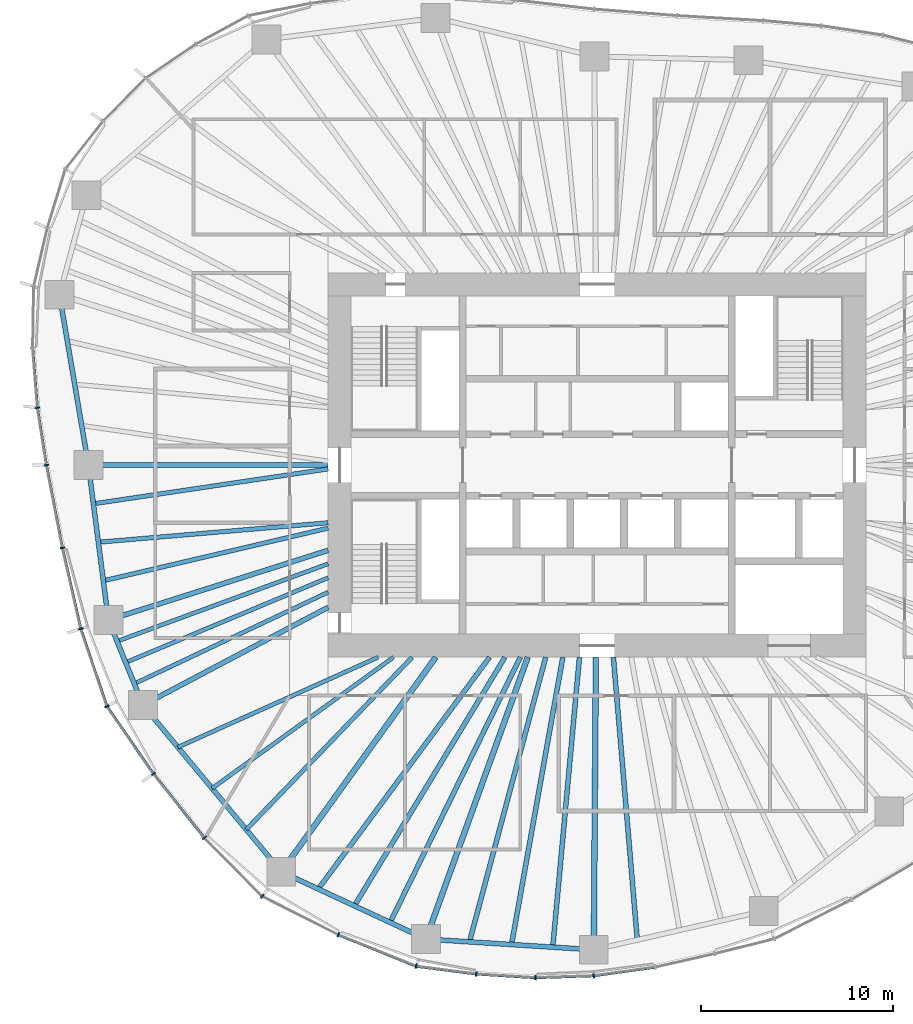
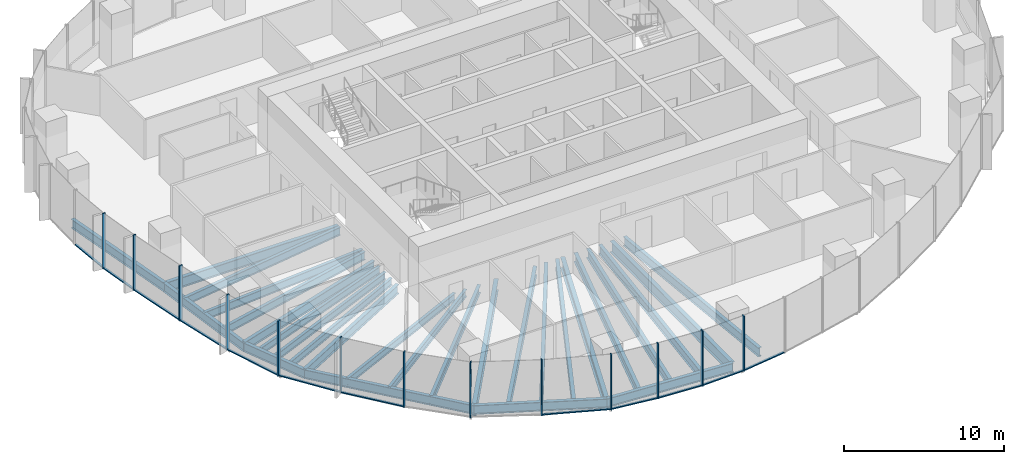
# One storey, part 2 of 18: 28 beams, 25 members, 7 elements without a shape of their own.
"""IFC4 building model written with IfcOpenShell, lengths in metres."""

from ifc_helpers import new_model, si_unit, direction, frame, origin, origin_2d, place, context, subcontext, project, spatial, rectangle, i_section, extrude, material, material_profile, profile_set, type_object, element, aggregate, save


model = new_model("IFC4")

# Units and contexts
model_context = context("Model", 3, precision=1e-05, world=origin(), true_north=direction((0.0, 1.0)))
body_context = subcontext(model_context, "Body", "Model", "MODEL_VIEW")
ifc_project = project(units=[si_unit("LENGTHUNIT", "METRE"), si_unit("AREAUNIT", "SQUARE_METRE"), si_unit("VOLUMEUNIT", "CUBIC_METRE"), si_unit("PLANEANGLEUNIT", "RADIAN"), si_unit("MASSUNIT", "GRAM", prefix="KILO")], contexts=[model_context])

# Site, building, storey
site_placement = place(None, origin())
site = spatial("IfcSite", under=ifc_project, at=site_placement, CompositionType="ELEMENT")
building_placement = place(site_placement, origin())
building = spatial("IfcBuilding", under=site, at=building_placement, Name="Ghaith Harvest Tower", CompositionType="ELEMENT")
storey_placement = place(building_placement, frame((0.0, 0.0, 130.199951171875)))
storey = spatial("IfcBuildingStorey", under=building, at=storey_placement, Name="L27", CompositionType="ELEMENT", Elevation=130.199951171875)

# Curtain wall, member
ifc_material_1 = material(Name="Black anodised aluminium and fritted glass", Category="aluminium")
curtain_wall_type = type_object("IfcCurtainWallType", Name="CW-L CURTAIN WALL", PredefinedType="NOTDEFINED", material=ifc_material_1)
curtain_wall_1_placement = place(storey_placement, origin())
curtain_wall_1 = element("IfcCurtainWall", 1, at=curtain_wall_1_placement, inside=storey, type_object=curtain_wall_type, Name="Curtain wall CW-L bay 10 L27", PredefinedType="NOTDEFINED")
ifc_material_2 = material(Name="Aluminium, black anodised", Category="aluminium")
ifc_material_profile_1 = material_profile(ifc_material_2, rectangle(XDim=0.080078125, YDim=0.239990234375, at=origin_2d()), Name="CW-L MULLION 80x240")
ifc_profile_set_1 = profile_set([ifc_material_profile_1], Name="Aluminium, black anodised")
member_type_1 = type_object("IfcMemberType", Name="CW-L MULLION 80x240", PredefinedType="MULLION", material=ifc_profile_set_1)
member_1_placement = place(storey_placement, frame((-29.131103515625, 2.990478515625, 0.0), z_axis=(0.0, 0.0, 1.0), x_axis=(0.116763791346, -0.993159713757, 0.0)))
member_1 = element("IfcMember", 2, at=member_1_placement, type_object=member_type_1, Name="CW-L mullion 3 bay 10 L27", PredefinedType="MULLION", context=body_context, shape_type="SweptSolid", body=[
    extrude(rectangle(XDim=0.080078125, YDim=0.239990234375, at=origin_2d()), origin(), (0.0, 0.0, 1.0), 4.199951171875),
])

# Curtain wall, members
curtain_wall_2_placement = place(storey_placement, origin())
curtain_wall_2 = element("IfcCurtainWall", 3, at=curtain_wall_2_placement, inside=storey, type_object=curtain_wall_type, Name="Curtain wall CW-L bay 11 L27", PredefinedType="NOTDEFINED")
member_2_placement = place(storey_placement, frame((-28.6611328125, 0.0, 0.0), z_axis=(0.0, 0.0, 1.0), x_axis=(0.175827209372, -0.984421044292, 0.0)))
member_2 = element("IfcMember", 4, at=member_2_placement, type_object=member_type_1, Name="CW-L mullion 1 bay 11 L27", PredefinedType="MULLION", context=body_context, shape_type="SweptSolid", body=[
    extrude(rectangle(XDim=0.080078125, YDim=0.239990234375, at=origin_2d()), origin(), (0.0, 0.0, 1.0), 4.199951171875),
])
member_3_placement = place(storey_placement, frame((-27.828125, -4.30419921875, 0.0), z_axis=(0.0, 0.0, 1.0), x_axis=(0.205176300018, -0.978725030798, 0.0)))
member_3 = element("IfcMember", 5, at=member_3_placement, type_object=member_type_1, Name="CW-L mullion 2 bay 11 L27", PredefinedType="MULLION", context=body_context, shape_type="SweptSolid", body=[
    extrude(rectangle(XDim=0.080078125, YDim=0.239990234375, at=origin_2d()), origin(), (0.0, 0.0, 1.0), 4.199951171875),
])

curtain_wall_3_placement = place(storey_placement, origin())
curtain_wall_3 = element("IfcCurtainWall", 6, at=curtain_wall_3_placement, inside=storey, type_object=curtain_wall_type, Name="Curtain wall CW-L bay 12 L27", PredefinedType="NOTDEFINED")
member_4_placement = place(storey_placement, frame((-26.875732421875, -8.517333984375, 0.0), z_axis=(0.0, 0.0, 1.0), x_axis=(0.270018818005, -0.962855045125, 0.0)))
member_4 = element("IfcMember", 7, at=member_4_placement, type_object=member_type_1, Name="CW-L mullion 1 bay 12 L27", PredefinedType="MULLION", context=body_context, shape_type="SweptSolid", body=[
    extrude(rectangle(XDim=0.080078125, YDim=0.239990234375, at=origin_2d()), origin(), (0.0, 0.0, 1.0), 4.199951171875),
])
member_5_placement = place(storey_placement, frame((-25.513427734375, -12.55810546875, 0.0), z_axis=(0.0, 0.0, 1.0), x_axis=(0.448267068681, -0.893899678452, 0.0)))
member_5 = element("IfcMember", 8, at=member_5_placement, type_object=member_type_1, Name="CW-L mullion 2 bay 12 L27", PredefinedType="MULLION", context=body_context, shape_type="SweptSolid", body=[
    extrude(rectangle(XDim=0.080078125, YDim=0.239990234375, at=origin_2d()), origin(), (0.0, 0.0, 1.0), 4.199951171875),
])

curtain_wall_4_placement = place(storey_placement, origin())
curtain_wall_4 = element("IfcCurtainWall", 9, at=curtain_wall_4_placement, inside=storey, type_object=curtain_wall_type, Name="Curtain wall CW-L bay 13 L27", PredefinedType="NOTDEFINED")
member_6_placement = place(storey_placement, frame((-23.090087890625, -16.066162109375, 0.0), z_axis=(0.0, 0.0, 1.0), x_axis=(0.595740202191, -0.803177198066, 0.0)))
member_6 = element("IfcMember", 10, at=member_6_placement, type_object=member_type_1, Name="CW-L mullion 1 bay 13 L27", PredefinedType="MULLION", context=body_context, shape_type="SweptSolid", body=[
    extrude(rectangle(XDim=0.080078125, YDim=0.239990234375, at=origin_2d()), origin(), (0.0, 0.0, 1.0), 4.199951171875),
])
member_7_placement = place(storey_placement, frame((-20.441162109375, -19.396728515625, 0.0), z_axis=(0.0, 0.0, 1.0), x_axis=(0.663764675537, -0.747941478666, 0.0)))
member_7 = element("IfcMember", 11, at=member_7_placement, type_object=member_type_1, Name="CW-L mullion 2 bay 13 L27", PredefinedType="MULLION", context=body_context, shape_type="SweptSolid", body=[
    extrude(rectangle(XDim=0.080078125, YDim=0.239990234375, at=origin_2d()), origin(), (0.0, 0.0, 1.0), 4.199951171875),
])

curtain_wall_5_placement = place(storey_placement, origin())
curtain_wall_5 = element("IfcCurtainWall", 12, at=curtain_wall_5_placement, inside=storey, type_object=curtain_wall_type, Name="Curtain wall CW-L bay 14 L27", PredefinedType="NOTDEFINED")
member_8_placement = place(storey_placement, frame((-17.430419921875, -22.443603515625, 0.0), z_axis=(0.0, 0.0, 1.0), x_axis=(0.810339399222, -0.585960799089, 0.0)))
member_8 = element("IfcMember", 13, at=member_8_placement, type_object=member_type_1, Name="CW-L mullion 1 bay 14 L27", PredefinedType="MULLION", context=body_context, shape_type="SweptSolid", body=[
    extrude(rectangle(XDim=0.080078125, YDim=0.239990234375, at=origin_2d()), origin(), (0.0, 0.0, 1.0), 4.199951171875),
])
member_9_placement = place(storey_placement, frame((-13.463134765625, -24.4423828125, 0.0), z_axis=(0.0, 0.0, 1.0), x_axis=(0.910648017946, -0.413182995066, 0.0)))
member_9 = element("IfcMember", 14, at=member_9_placement, type_object=member_type_1, Name="CW-L mullion 2 bay 14 L27", PredefinedType="MULLION", context=body_context, shape_type="SweptSolid", body=[
    extrude(rectangle(XDim=0.080078125, YDim=0.239990234375, at=origin_2d()), origin(), (0.0, 0.0, 1.0), 4.199951171875),
])

curtain_wall_6_placement = place(storey_placement, origin())
curtain_wall_6 = element("IfcCurtainWall", 15, at=curtain_wall_6_placement, inside=storey, type_object=curtain_wall_type, Name="Curtain wall CW-L bay 15 L27", PredefinedType="NOTDEFINED")
member_10_placement = place(storey_placement, frame((-9.4189453125, -26.07861328125, 0.0), z_axis=(0.0, 0.0, 1.0), x_axis=(0.961788606004, -0.273793128768, 0.0)))
member_10 = element("IfcMember", 16, at=member_10_placement, type_object=member_type_1, Name="CW-L mullion 1 bay 15 L27", PredefinedType="MULLION", context=body_context, shape_type="SweptSolid", body=[
    extrude(rectangle(XDim=0.080078125, YDim=0.239990234375, at=origin_2d()), origin(), (0.0, 0.0, 1.0), 4.199951171875),
])
member_11_placement = place(storey_placement, frame((-6.29443359375, -26.483154296875, 0.0), z_axis=(0.0, 0.0, 1.0), x_axis=(0.995389243171, -0.095917957546, 0.0)))
member_11 = element("IfcMember", 17, at=member_11_placement, type_object=member_type_1, Name="CW-L mullion 2 bay 15 L27", PredefinedType="MULLION", context=body_context, shape_type="SweptSolid", body=[
    extrude(rectangle(XDim=0.080078125, YDim=0.239990234375, at=origin_2d()), origin(), (0.0, 0.0, 1.0), 4.199951171875),
])
member_12_placement = place(storey_placement, frame((-3.21923828125, -26.676025390625, 0.0), z_axis=(0.0, 0.0, 1.0), x_axis=(0.999890531495, -0.014796115241, 0.0)))
member_12 = element("IfcMember", 18, at=member_12_placement, type_object=member_type_1, Name="CW-L mullion 3 bay 15 L27", PredefinedType="MULLION", context=body_context, shape_type="SweptSolid", body=[
    extrude(rectangle(XDim=0.080078125, YDim=0.239990234375, at=origin_2d()), origin(), (0.0, 0.0, 1.0), 4.199951171875),
])

# Curtain wall, member
curtain_wall_7_placement = place(storey_placement, origin())
curtain_wall_7 = element("IfcCurtainWall", 19, at=curtain_wall_7_placement, inside=storey, type_object=curtain_wall_type, Name="Curtain wall CW-L bay 16 L27", PredefinedType="NOTDEFINED")
member_13_placement = place(storey_placement, frame((-0.181884765625, -26.57373046875, 0.0), z_axis=(0.0, 0.0, 1.0), x_axis=(0.996169227662, 0.087446382772, 0.0)))
member_13 = element("IfcMember", 20, at=member_13_placement, type_object=member_type_1, Name="CW-L mullion 1 bay 16 L27", PredefinedType="MULLION", context=body_context, shape_type="SweptSolid", body=[
    extrude(rectangle(XDim=0.080078125, YDim=0.239990234375, at=origin_2d()), origin(), (0.0, 0.0, 1.0), 4.199951171875),
])

# Member
ifc_material_3 = material(Name="Aluminium, black anodised", Category="aluminium")
ifc_material_profile_2 = material_profile(ifc_material_3, rectangle(XDim=0.14990234375, YDim=0.080078125, at=origin_2d()), Name="CW-L TRANSOM 150x80")
ifc_profile_set_2 = profile_set([ifc_material_profile_2], Name="Aluminium, black anodised")
member_type_2 = type_object("IfcMemberType", Name="CW-L TRANSOM 150x80", PredefinedType="USERDEFINED", material=ifc_profile_set_2)
member_14_placement = place(storey_placement, frame((-29.374755859375, 6.05615234375, 0.0400390625), z_axis=(0.079230491279, -0.996856323274, 0.0), x_axis=(0.996856323274, 0.079230491279, 0.0)))
member_14 = element("IfcMember", 21, at=member_14_placement, type_object=member_type_2, Name="CW-L transom 2 bay 10 L27", ObjectType="TRANSOM", PredefinedType="USERDEFINED", context=body_context, shape_type="SweptSolid", body=[
    extrude(rectangle(XDim=0.14990234375, YDim=0.080078125, at=origin_2d()), origin(), (0.0, 0.0, 1.0), 3.03515625),
])

member_15_placement = place(storey_placement, frame((-29.124755859375, 2.951171875, 0.0400390625), z_axis=(0.155150065502, -0.987890913601, 0.0), x_axis=(0.987890913601, 0.155150065502, 0.0)))
member_15 = element("IfcMember", 22, at=member_15_placement, type_object=member_type_2, Name="CW-L transom 3 bay 10 L27", ObjectType="TRANSOM", PredefinedType="USERDEFINED", context=body_context, shape_type="SweptSolid", body=[
    extrude(rectangle(XDim=0.14990234375, YDim=0.080078125, at=origin_2d()), origin(), (0.0, 0.0, 1.0), 2.947265625),
])

aggregate(curtain_wall_1, [member_14, member_1, member_15])

member_16_placement = place(storey_placement, frame((-28.653564453125, -0.039306640625, 0.0400390625), z_axis=(0.190025434036, -0.981779167848, 0.0), x_axis=(0.981779167848, 0.190025434036, 0.0)))
member_16 = element("IfcMember", 23, at=member_16_placement, type_object=member_type_2, Name="CW-L transom 1 bay 11 L27", ObjectType="TRANSOM", PredefinedType="USERDEFINED", context=body_context, shape_type="SweptSolid", body=[
    extrude(rectangle(XDim=0.14990234375, YDim=0.080078125, at=origin_2d()), origin(), (0.0, 0.0, 1.0), 4.303955078125),
])

member_17_placement = place(storey_placement, frame((-27.8193359375, -4.34326171875, 0.0400390625), z_axis=(0.220508326041, -0.975385092231, 0.0), x_axis=(0.975385092231, 0.220508326041, 0.0)))
member_17 = element("IfcMember", 24, at=member_17_placement, type_object=member_type_2, Name="CW-L transom 2 bay 11 L27", ObjectType="TRANSOM", PredefinedType="USERDEFINED", context=body_context, shape_type="SweptSolid", body=[
    extrude(rectangle(XDim=0.14990234375, YDim=0.080078125, at=origin_2d()), origin(), (0.0, 0.0, 1.0), 4.2392578125),
])

aggregate(curtain_wall_2, [member_2, member_16, member_3, member_17])

member_18_placement = place(storey_placement, frame((-26.863037109375, -8.55517578125, 0.0400390625), z_axis=(0.319499057133, -0.947586593664, 0.0), x_axis=(0.947586593664, 0.319499057133, 0.0)))
member_18 = element("IfcMember", 25, at=member_18_placement, type_object=member_type_2, Name="CW-L transom 1 bay 12 L27", ObjectType="TRANSOM", PredefinedType="USERDEFINED", context=body_context, shape_type="SweptSolid", body=[
    extrude(rectangle(XDim=0.14990234375, YDim=0.080078125, at=origin_2d()), origin(), (0.0, 0.0, 1.0), 4.184326171875),
])

member_19_placement = place(storey_placement, frame((-25.49072265625, -12.591064453125, 0.0400390625), z_axis=(0.568360052499, -0.822779952796, 0.0), x_axis=(0.822779952796, 0.568360052499, 0.0)))
member_19 = element("IfcMember", 26, at=member_19_placement, type_object=member_type_2, Name="CW-L transom 2 bay 12 L27", ObjectType="TRANSOM", PredefinedType="USERDEFINED", context=body_context, shape_type="SweptSolid", body=[
    extrude(rectangle(XDim=0.14990234375, YDim=0.080078125, at=origin_2d()), origin(), (0.0, 0.0, 1.0), 4.183837890625),
])

aggregate(curtain_wall_3, [member_4, member_18, member_5, member_19])

member_20_placement = place(storey_placement, frame((-23.065185546875, -16.09765625, 0.0400390625), z_axis=(0.622510542814, -0.782611413209, 0.0), x_axis=(0.782611413209, 0.622510542814, 0.0)))
member_20 = element("IfcMember", 27, at=member_20_placement, type_object=member_type_2, Name="CW-L transom 1 bay 13 L27", ObjectType="TRANSOM", PredefinedType="USERDEFINED", context=body_context, shape_type="SweptSolid", body=[
    extrude(rectangle(XDim=0.14990234375, YDim=0.080078125, at=origin_2d()), origin(), (0.0, 0.0, 1.0), 4.17529296875),
])

aggregate(curtain_wall_4, [member_6, member_20, member_7])

member_21_placement = place(storey_placement, frame((-13.426025390625, -24.45751953125, 0.0400390625), z_axis=(0.92700297754, -0.375053968959, 0.0), x_axis=(0.375053968959, 0.92700297754, 0.0)))
member_21 = element("IfcMember", 28, at=member_21_placement, type_object=member_type_2, Name="CW-L transom 2 bay 14 L27", ObjectType="TRANSOM", PredefinedType="USERDEFINED", context=body_context, shape_type="SweptSolid", body=[
    extrude(rectangle(XDim=0.14990234375, YDim=0.080078125, at=origin_2d()), origin(), (0.0, 0.0, 1.0), 4.282470703125),
])

aggregate(curtain_wall_5, [member_8, member_9, member_21])

member_22_placement = place(storey_placement, frame((-9.37939453125, -26.083740234375, 0.0400390625), z_axis=(0.991722765635, -0.128397648429, 0.0), x_axis=(0.128397648429, 0.991722765635, 0.0)))
member_22 = element("IfcMember", 29, at=member_22_placement, type_object=member_type_2, Name="CW-L transom 1 bay 15 L27", ObjectType="TRANSOM", PredefinedType="USERDEFINED", context=body_context, shape_type="SweptSolid", body=[
    extrude(rectangle(XDim=0.14990234375, YDim=0.080078125, at=origin_2d()), origin(), (0.0, 0.0, 1.0), 3.07080078125),
])

member_23_placement = place(storey_placement, frame((-6.25439453125, -26.485595703125, 0.0400390625), z_axis=(0.998036402434, -0.062636566132, 0.0), x_axis=(0.062636566132, 0.998036402434, 0.0)))
member_23 = element("IfcMember", 30, at=member_23_placement, type_object=member_type_2, Name="CW-L transom 2 bay 15 L27", ObjectType="TRANSOM", PredefinedType="USERDEFINED", context=body_context, shape_type="SweptSolid", body=[
    extrude(rectangle(XDim=0.14990234375, YDim=0.080078125, at=origin_2d()), origin(), (0.0, 0.0, 1.0), 3.001220703125),
])

member_24_placement = place(storey_placement, frame((-3.17919921875, -26.6748046875, 0.0400390625), z_axis=(0.999430436664, 0.033746144522, 0.0), x_axis=(-0.033746144522, 0.999430436664, 0.0)))
member_24 = element("IfcMember", 31, at=member_24_placement, type_object=member_type_2, Name="CW-L transom 3 bay 15 L27", ObjectType="TRANSOM", PredefinedType="USERDEFINED", context=body_context, shape_type="SweptSolid", body=[
    extrude(rectangle(XDim=0.14990234375, YDim=0.080078125, at=origin_2d()), origin(), (0.0, 0.0, 1.0), 2.958984375),
])

aggregate(curtain_wall_6, [member_10, member_22, member_11, member_23, member_12, member_24])

member_25_placement = place(storey_placement, frame((-0.142333984375, -26.568115234375, 0.0400390625), z_axis=(0.990446640965, 0.137896524254, 0.0), x_axis=(-0.137896524254, 0.990446640965, 0.0)))
member_25 = element("IfcMember", 32, at=member_25_placement, type_object=member_type_2, Name="CW-L transom 1 bay 16 L27", ObjectType="TRANSOM", PredefinedType="USERDEFINED", context=body_context, shape_type="SweptSolid", body=[
    extrude(rectangle(XDim=0.14990234375, YDim=0.080078125, at=origin_2d()), origin(), (0.0, 0.0, 1.0), 3.142578125),
])

aggregate(curtain_wall_7, [member_13, member_25])

# Beams
ifc_material_4 = material(Name="Steel ASTM A992 Grade 50", Category="steel")
ifc_material_profile_3 = material_profile(ifc_material_4, i_section(OverallWidth=0.25390625, OverallDepth=0.68408203125, WebThickness=0.012451171875, FlangeThickness=0.018798828125, at=origin_2d()), Name="W690X140")
ifc_profile_set_3 = profile_set([ifc_material_profile_3], Name="Steel ASTM A992 Grade 50")
beam_type_1 = type_object("IfcBeamType", Name="E690-140 W690X140", PredefinedType="SPANDREL", material=ifc_profile_set_3)
beam_1_placement = place(storey_placement, frame((-27.98291015625, 8.867919921875, -0.511962890625), z_axis=(0.167624246844, -0.985850958244, 0.0), x_axis=(0.985850958244, 0.167624246844, 0.0)))
element("IfcBeam", 33, at=beam_1_placement, inside=storey, type_object=beam_type_1, Name="Edge beam E10 L27", PredefinedType="SPANDREL", context=body_context, shape_type="SweptSolid", body=[
    extrude(i_section(OverallWidth=0.25390625, OverallDepth=0.68408203125, WebThickness=0.012451171875, FlangeThickness=0.018798828125, at=origin_2d()), origin(), (0.0, 0.0, 1.0), 8.9951171875),
])
beam_2_placement = place(storey_placement, frame((-26.47509765625, 0.0, -0.511962890625), z_axis=(0.127841715048, -0.991794583517, 0.0), x_axis=(0.991794583517, 0.127841715048, 0.0)))
element("IfcBeam", 34, at=beam_2_placement, inside=storey, type_object=beam_type_1, Name="Edge beam E11 L27", PredefinedType="SPANDREL", context=body_context, shape_type="SweptSolid", body=[
    extrude(i_section(OverallWidth=0.25390625, OverallDepth=0.68408203125, WebThickness=0.012451171875, FlangeThickness=0.018798828125, at=origin_2d()), origin(), (0.0, 0.0, 1.0), 8.127685546875),
])
beam_3_placement = place(storey_placement, frame((-25.43603515625, -8.06103515625, -0.511962890625), z_axis=(0.376479712052, -0.9264248628, 0.0), x_axis=(0.9264248628, 0.376479712052, 0.0)))
element("IfcBeam", 35, at=beam_3_placement, inside=storey, type_object=beam_type_1, Name="Edge beam E12 L27", PredefinedType="SPANDREL", context=body_context, shape_type="SweptSolid", body=[
    extrude(i_section(OverallWidth=0.25390625, OverallDepth=0.68408203125, WebThickness=0.012451171875, FlangeThickness=0.018798828125, at=origin_2d()), origin(), (0.0, 0.0, 1.0), 4.783935546875),
])
beam_4_placement = place(storey_placement, frame((-23.635009765625, -12.492919921875, -0.511962890625), z_axis=(0.638719320052, -0.769439815835, 0.0), x_axis=(0.769439815835, 0.638719320052, 0.0)))
element("IfcBeam", 36, at=beam_4_placement, inside=storey, type_object=beam_type_1, Name="Edge beam E13 L27", PredefinedType="SPANDREL", context=body_context, shape_type="SweptSolid", body=[
    extrude(i_section(OverallWidth=0.25390625, OverallDepth=0.68408203125, WebThickness=0.012451171875, FlangeThickness=0.018798828125, at=origin_2d()), origin(), (0.0, 0.0, 1.0), 11.26953125),
])
beam_5_placement = place(storey_placement, frame((-16.43701171875, -21.1640625, -0.511962890625), z_axis=(0.906607079462, -0.421975832802, 0.0), x_axis=(0.421975832802, 0.906607079462, 0.0)))
element("IfcBeam", 37, at=beam_5_placement, inside=storey, type_object=beam_type_1, Name="Edge beam E14 L27", PredefinedType="SPANDREL", context=body_context, shape_type="SweptSolid", body=[
    extrude(i_section(OverallWidth=0.25390625, OverallDepth=0.68408203125, WebThickness=0.012451171875, FlangeThickness=0.018798828125, at=origin_2d()), origin(), (0.0, 0.0, 1.0), 8.303466796875),
])
beam_6_placement = place(storey_placement, frame((-8.908935546875, -24.66796875, -0.511962890625), z_axis=(0.99797963184, -0.063534671101, 0.0), x_axis=(0.063534671101, 0.99797963184, 0.0)))
element("IfcBeam", 38, at=beam_6_placement, inside=storey, type_object=beam_type_1, Name="Edge beam E15 L27", PredefinedType="SPANDREL", context=body_context, shape_type="SweptSolid", body=[
    extrude(i_section(OverallWidth=0.25390625, OverallDepth=0.68408203125, WebThickness=0.012451171875, FlangeThickness=0.018798828125, at=origin_2d()), origin(), (0.0, 0.0, 1.0), 8.75341796875),
])
ifc_material_5 = material(Name="Steel ASTM A992 Grade 50", Category="steel")
ifc_material_profile_4 = material_profile(ifc_material_5, i_section(OverallWidth=0.256103515625, OverallDepth=0.693115234375, WebThickness=0.014404296875, FlangeThickness=0.023681640625, at=origin_2d()), Name="W690X170")
ifc_profile_set_4 = profile_set([ifc_material_profile_4], Name="Steel ASTM A992 Grade 50")
beam_type_2 = type_object("IfcBeamType", Name="G690-170 W690X170", PredefinedType="BEAM", material=ifc_profile_set_4)
beam_7_placement = place(storey_placement, frame((-14.0, -4.43701171875, -0.516357421875), z_axis=(-0.953279533519, -0.302089607522, 0.0), x_axis=(0.302089607522, -0.953279533519, 0.0)))
element("IfcBeam", 39, at=beam_7_placement, inside=storey, type_object=beam_type_2, Name="Radial girder G12 L27", PredefinedType="BEAM", context=body_context, shape_type="SweptSolid", body=[
    extrude(i_section(OverallWidth=0.256103515625, OverallDepth=0.693115234375, WebThickness=0.014404296875, FlangeThickness=0.023681640625, at=origin_2d()), origin(), (0.0, 0.0, 1.0), 11.99658203125),
])
beam_8_placement = place(storey_placement, frame((-14.0, -7.39990234375, -0.516357421875), z_axis=(-0.884086346066, -0.467323584576, 0.0), x_axis=(0.467323584576, -0.884086346066, 0.0)))
element("IfcBeam", 40, at=beam_8_placement, inside=storey, type_object=beam_type_2, Name="Radial girder G13 L27", PredefinedType="BEAM", context=body_context, shape_type="SweptSolid", body=[
    extrude(i_section(OverallWidth=0.256103515625, OverallDepth=0.693115234375, WebThickness=0.014404296875, FlangeThickness=0.023681640625, at=origin_2d()), origin(), (0.0, 0.0, 1.0), 10.898193359375),
])
ifc_material_6 = material(Name="Steel ASTM A992 Grade 50", Category="steel")
ifc_material_profile_5 = material_profile(ifc_material_6, i_section(OverallWidth=0.26806640625, OverallDepth=0.77001953125, WebThickness=0.015625, FlangeThickness=0.025390625, at=origin_2d()), Name="W760X196")
ifc_profile_set_5 = profile_set([ifc_material_profile_5], Name="Steel ASTM A992 Grade 50")
beam_type_3 = type_object("IfcBeamType", Name="G760-196 W760X196", PredefinedType="BEAM", material=ifc_profile_set_5)
beam_9_placement = place(storey_placement, frame((-14.0, 0.0, -0.554931640625), z_axis=(-1.0, 0.0, 0.0), x_axis=(0.0, -1.0, 0.0)))
element("IfcBeam", 41, at=beam_9_placement, inside=storey, type_object=beam_type_3, Name="Radial girder G11 L27", PredefinedType="BEAM", context=body_context, shape_type="SweptSolid", body=[
    extrude(i_section(OverallWidth=0.26806640625, OverallDepth=0.77001953125, WebThickness=0.015625, FlangeThickness=0.025390625, at=origin_2d()), origin(), (0.0, 0.0, 1.0), 12.47509765625),
])
ifc_material_7 = material(Name="Steel ASTM A992 Grade 50", Category="steel")
ifc_material_profile_6 = material_profile(ifc_material_7, i_section(OverallWidth=0.2939453125, OverallDepth=0.85107421875, WebThickness=0.01611328125, FlangeThickness=0.02685546875, at=origin_2d()), Name="W840X226")
ifc_profile_set_6 = profile_set([ifc_material_profile_6], Name="Steel ASTM A992 Grade 50")
beam_type_4 = type_object("IfcBeamType", Name="G840-226 W840X226", PredefinedType="BEAM", material=ifc_profile_set_6)
beam_10_placement = place(storey_placement, frame((-8.39990234375, -10.0, -0.595458984375), z_axis=(-0.584256100809, -0.811569349265, 0.0), x_axis=(0.811569349265, -0.584256100809, 0.0)))
element("IfcBeam", 42, at=beam_10_placement, inside=storey, type_object=beam_type_4, Name="Radial girder G14 L27", PredefinedType="BEAM", context=body_context, shape_type="SweptSolid", body=[
    extrude(i_section(OverallWidth=0.2939453125, OverallDepth=0.85107421875, WebThickness=0.01611328125, FlangeThickness=0.02685546875, at=origin_2d()), origin(), (0.0, 0.0, 1.0), 13.756103515625),
])
beam_11_placement = place(storey_placement, frame((-3.61181640625, -10.0, -0.595458984375), z_axis=(-0.339664467784, -0.940546675782, 0.0), x_axis=(0.940546675782, -0.339664467784, 0.0)))
element("IfcBeam", 43, at=beam_11_placement, inside=storey, type_object=beam_type_4, Name="Radial girder G15 L27", PredefinedType="BEAM", context=body_context, shape_type="SweptSolid", body=[
    extrude(i_section(OverallWidth=0.2939453125, OverallDepth=0.85107421875, WebThickness=0.01611328125, FlangeThickness=0.02685546875, at=origin_2d()), origin(), (0.0, 0.0, 1.0), 15.59521484375),
])
beam_12_placement = place(storey_placement, frame((-0.068359375, -10.0, -0.595458984375), z_axis=(-0.006879467722, -0.999976336182, 0.0), x_axis=(0.999976336182, -0.006879467722, 0.0)))
element("IfcBeam", 44, at=beam_12_placement, inside=storey, type_object=beam_type_4, Name="Radial girder G16 L27", PredefinedType="BEAM", context=body_context, shape_type="SweptSolid", body=[
    extrude(i_section(OverallWidth=0.2939453125, OverallDepth=0.85107421875, WebThickness=0.01611328125, FlangeThickness=0.02685546875, at=origin_2d()), origin(), (0.0, 0.0, 1.0), 15.224365234375),
])
ifc_material_8 = material(Name="Steel ASTM A992 Grade 50", Category="steel")
ifc_material_profile_7 = material_profile(ifc_material_8, i_section(OverallWidth=0.2109375, OverallDepth=0.5390625, WebThickness=0.01171875, FlangeThickness=0.018798828125, at=origin_2d()), Name="W530X109")
ifc_profile_set_7 = profile_set([ifc_material_profile_7], Name="Steel ASTM A992 Grade 50")
beam_type_5 = type_object("IfcBeamType", Name="J530-109 W530X109", PredefinedType="JOIST", material=ifc_profile_set_7)
beam_13_placement = place(storey_placement, frame((-14.0, -5.137939453125, -0.439453125), z_axis=(-0.938774452531, -0.344532331247, 0.0), x_axis=(0.344532331247, -0.938774452531, 0.0)))
element("IfcBeam", 45, at=beam_13_placement, inside=storey, type_object=beam_type_5, Name="Joist J12.1 L27", PredefinedType="JOIST", context=body_context, shape_type="SweptSolid", body=[
    extrude(i_section(OverallWidth=0.2109375, OverallDepth=0.5390625, WebThickness=0.01171875, FlangeThickness=0.018798828125, at=origin_2d()), origin(), (0.0, 0.0, 1.0), 11.7021484375),
])
beam_14_placement = place(storey_placement, frame((-14.0, -5.862548828125, -0.439453125), z_axis=(-0.922385564947, -0.386270461693, 0.0), x_axis=(0.386270461693, -0.922385564947, 0.0)))
element("IfcBeam", 46, at=beam_14_placement, inside=storey, type_object=beam_type_5, Name="Joist J12.2 L27", PredefinedType="JOIST", context=body_context, shape_type="SweptSolid", body=[
    extrude(i_section(OverallWidth=0.2109375, OverallDepth=0.5390625, WebThickness=0.01171875, FlangeThickness=0.018798828125, at=origin_2d()), origin(), (0.0, 0.0, 1.0), 11.4228515625),
])
beam_15_placement = place(storey_placement, frame((-14.0, -6.614990234375, -0.439453125), z_axis=(-0.904150042111, -0.427215052815, 0.0), x_axis=(0.427215052815, -0.904150042111, 0.0)))
element("IfcBeam", 47, at=beam_15_placement, inside=storey, type_object=beam_type_5, Name="Joist J12.3 L27", PredefinedType="JOIST", context=body_context, shape_type="SweptSolid", body=[
    extrude(i_section(OverallWidth=0.2109375, OverallDepth=0.5390625, WebThickness=0.01171875, FlangeThickness=0.018798828125, at=origin_2d()), origin(), (0.0, 0.0, 1.0), 11.15625),
])
beam_16_placement = place(storey_placement, frame((-11.39990234375, -10.0, -0.439453125), z_axis=(-0.912147734774, -0.409861574127, 0.0), x_axis=(0.409861574127, -0.912147734774, 0.0)))
element("IfcBeam", 48, at=beam_16_placement, inside=storey, type_object=beam_type_5, Name="Joist J13.1 L27", PredefinedType="JOIST", context=body_context, shape_type="SweptSolid", body=[
    extrude(i_section(OverallWidth=0.2109375, OverallDepth=0.5390625, WebThickness=0.01171875, FlangeThickness=0.018798828125, at=origin_2d()), origin(), (0.0, 0.0, 1.0), 11.421875),
])
beam_17_placement = place(storey_placement, frame((-10.60009765625, -10.0, -0.439453125), z_axis=(-0.810452010932, -0.5858050341, 0.0), x_axis=(0.5858050341, -0.810452010932, 0.0)))
element("IfcBeam", 49, at=beam_17_placement, inside=storey, type_object=beam_type_5, Name="Joist J13.2 L27", PredefinedType="JOIST", context=body_context, shape_type="SweptSolid", body=[
    extrude(i_section(OverallWidth=0.2109375, OverallDepth=0.5390625, WebThickness=0.01171875, FlangeThickness=0.018798828125, at=origin_2d()), origin(), (0.0, 0.0, 1.0), 11.64794921875),
])
ifc_material_9 = material(Name="Steel ASTM A992 Grade 50", Category="steel")
ifc_material_profile_8 = material_profile(ifc_material_9, i_section(OverallWidth=0.22900390625, OverallDepth=0.612060546875, WebThickness=0.011962890625, FlangeThickness=0.01953125, at=origin_2d()), Name="W610X125")
ifc_profile_set_8 = profile_set([ifc_material_profile_8], Name="Steel ASTM A992 Grade 50")
beam_type_6 = type_object("IfcBeamType", Name="J610-125 W610X125", PredefinedType="JOIST", material=ifc_profile_set_8)
beam_18_placement = place(storey_placement, frame((-14.0, -0.199951171875, -0.475830078125), z_axis=(-0.989135422742, -0.147007195321, 0.0), x_axis=(0.147007195321, -0.989135422742, 0.0)))
element("IfcBeam", 50, at=beam_18_placement, inside=storey, type_object=beam_type_6, Name="Joist J11.1 L27", PredefinedType="JOIST", context=body_context, shape_type="SweptSolid", body=[
    extrude(i_section(OverallWidth=0.22900390625, OverallDepth=0.612060546875, WebThickness=0.011962890625, FlangeThickness=0.01953125, at=origin_2d()), origin(), (0.0, 0.0, 1.0), 12.349365234375),
])
beam_19_placement = place(storey_placement, frame((-14.0, -3.0, -0.475830078125), z_axis=(-0.996417474722, -0.0845707755, 0.0), x_axis=(0.0845707755, -0.996417474722, 0.0)))
element("IfcBeam", 51, at=beam_19_placement, inside=storey, type_object=beam_type_6, Name="Joist J11.2 L27", PredefinedType="JOIST", context=body_context, shape_type="SweptSolid", body=[
    extrude(i_section(OverallWidth=0.22900390625, OverallDepth=0.612060546875, WebThickness=0.011962890625, FlangeThickness=0.01953125, at=origin_2d()), origin(), (0.0, 0.0, 1.0), 12.00048828125),
])
beam_20_placement = place(storey_placement, frame((-14.0, -3.280517578125, -0.475830078125), z_axis=(-0.973624350862, -0.228157014813, 0.0), x_axis=(0.228157014813, -0.973624350862, 0.0)))
element("IfcBeam", 52, at=beam_20_placement, inside=storey, type_object=beam_type_6, Name="Joist J11.3 L27", PredefinedType="JOIST", context=body_context, shape_type="SweptSolid", body=[
    extrude(i_section(OverallWidth=0.22900390625, OverallDepth=0.612060546875, WebThickness=0.011962890625, FlangeThickness=0.01953125, at=origin_2d()), origin(), (0.0, 0.0, 1.0), 12.015625),
])
beam_21_placement = place(storey_placement, frame((-9.626708984375, -10.0, -0.475830078125), z_axis=(-0.693534641621, -0.720423278963, 0.0), x_axis=(0.720423278963, -0.693534641621, 0.0)))
element("IfcBeam", 53, at=beam_21_placement, inside=storey, type_object=beam_type_6, Name="Joist J13.3 L27", PredefinedType="JOIST", context=body_context, shape_type="SweptSolid", body=[
    extrude(i_section(OverallWidth=0.22900390625, OverallDepth=0.612060546875, WebThickness=0.011962890625, FlangeThickness=0.01953125, at=origin_2d()), origin(), (0.0, 0.0, 1.0), 12.4482421875),
])
ifc_material_10 = material(Name="Steel ASTM A992 Grade 50", Category="steel")
ifc_material_profile_9 = material_profile(ifc_material_10, i_section(OverallWidth=0.25390625, OverallDepth=0.68408203125, WebThickness=0.012451171875, FlangeThickness=0.018798828125, at=origin_2d()), Name="W690X140")
ifc_profile_set_9 = profile_set([ifc_material_profile_9], Name="Steel ASTM A992 Grade 50")
beam_type_7 = type_object("IfcBeamType", Name="J690-140 W690X140", PredefinedType="JOIST", material=ifc_profile_set_9)
beam_22_placement = place(storey_placement, frame((-5.60009765625, -10.0, -0.511962890625), z_axis=(-0.59434024765, -0.804213696739, 0.0), x_axis=(0.804213696739, -0.59434024765, 0.0)))
element("IfcBeam", 54, at=beam_22_placement, inside=storey, type_object=beam_type_7, Name="Joist J14.1 L27", PredefinedType="JOIST", context=body_context, shape_type="SweptSolid", body=[
    extrude(i_section(OverallWidth=0.25390625, OverallDepth=0.68408203125, WebThickness=0.012451171875, FlangeThickness=0.018798828125, at=origin_2d()), origin(), (0.0, 0.0, 1.0), 14.995849609375),
])
beam_23_placement = place(storey_placement, frame((-4.800048828125, -10.0, -0.511962890625), z_axis=(-0.517986442874, -0.855388826791, 0.0), x_axis=(0.855388826791, -0.517986442874, 0.0)))
element("IfcBeam", 55, at=beam_23_placement, inside=storey, type_object=beam_type_7, Name="Joist J14.2 L27", PredefinedType="JOIST", context=body_context, shape_type="SweptSolid", body=[
    extrude(i_section(OverallWidth=0.25390625, OverallDepth=0.68408203125, WebThickness=0.012451171875, FlangeThickness=0.018798828125, at=origin_2d()), origin(), (0.0, 0.0, 1.0), 15.12158203125),
])
beam_24_placement = place(storey_placement, frame((-4.0, -10.0, -0.511962890625), z_axis=(-0.440562898219, -0.897721745706, 0.0), x_axis=(0.897721745706, -0.440562898219, 0.0)))
element("IfcBeam", 56, at=beam_24_placement, inside=storey, type_object=beam_type_7, Name="Joist J14.3 L27", PredefinedType="JOIST", context=body_context, shape_type="SweptSolid", body=[
    extrude(i_section(OverallWidth=0.25390625, OverallDepth=0.68408203125, WebThickness=0.012451171875, FlangeThickness=0.018798828125, at=origin_2d()), origin(), (0.0, 0.0, 1.0), 15.372802734375),
])
beam_25_placement = place(storey_placement, frame((-2.677978515625, -10.0, -0.511962890625), z_axis=(-0.258693109612, -0.965959561803, 0.0), x_axis=(0.965959561803, -0.258693109612, 0.0)))
element("IfcBeam", 57, at=beam_25_placement, inside=storey, type_object=beam_type_7, Name="Joist J15.1 L27", PredefinedType="JOIST", context=body_context, shape_type="SweptSolid", body=[
    extrude(i_section(OverallWidth=0.25390625, OverallDepth=0.68408203125, WebThickness=0.012451171875, FlangeThickness=0.018798828125, at=origin_2d()), origin(), (0.0, 0.0, 1.0), 15.333984375),
])
beam_26_placement = place(storey_placement, frame((-1.785888671875, -10.0, -0.511962890625), z_axis=(-0.175792307544, -0.984427277461, 0.0), x_axis=(0.984427277461, -0.175792307544, 0.0)))
element("IfcBeam", 58, at=beam_26_placement, inside=storey, type_object=beam_type_7, Name="Joist J15.2 L27", PredefinedType="JOIST", context=body_context, shape_type="SweptSolid", body=[
    extrude(i_section(OverallWidth=0.25390625, OverallDepth=0.68408203125, WebThickness=0.012451171875, FlangeThickness=0.018798828125, at=origin_2d()), origin(), (0.0, 0.0, 1.0), 15.18798828125),
])
beam_27_placement = place(storey_placement, frame((-0.92041015625, -10.0, -0.511962890625), z_axis=(-0.091651457116, -0.995791147987, 0.0), x_axis=(0.995791147987, -0.091651457116, 0.0)))
element("IfcBeam", 59, at=beam_27_placement, inside=storey, type_object=beam_type_7, Name="Joist J15.3 L27", PredefinedType="JOIST", context=body_context, shape_type="SweptSolid", body=[
    extrude(i_section(OverallWidth=0.25390625, OverallDepth=0.68408203125, WebThickness=0.012451171875, FlangeThickness=0.018798828125, at=origin_2d()), origin(), (0.0, 0.0, 1.0), 15.151611328125),
])
beam_28_placement = place(storey_placement, frame((0.844970703125, -10.0, -0.511962890625), z_axis=(0.084208979751, -0.996448115924, 0.0), x_axis=(0.996448115924, 0.084208979751, 0.0)))
element("IfcBeam", 60, at=beam_28_placement, inside=storey, type_object=beam_type_7, Name="Joist J16.1 L27", PredefinedType="JOIST", context=body_context, shape_type="SweptSolid", body=[
    extrude(i_section(OverallWidth=0.25390625, OverallDepth=0.68408203125, WebThickness=0.012451171875, FlangeThickness=0.018798828125, at=origin_2d()), origin(), (0.0, 0.0, 1.0), 14.760009765625),
])

save(model, "model.ifc")
